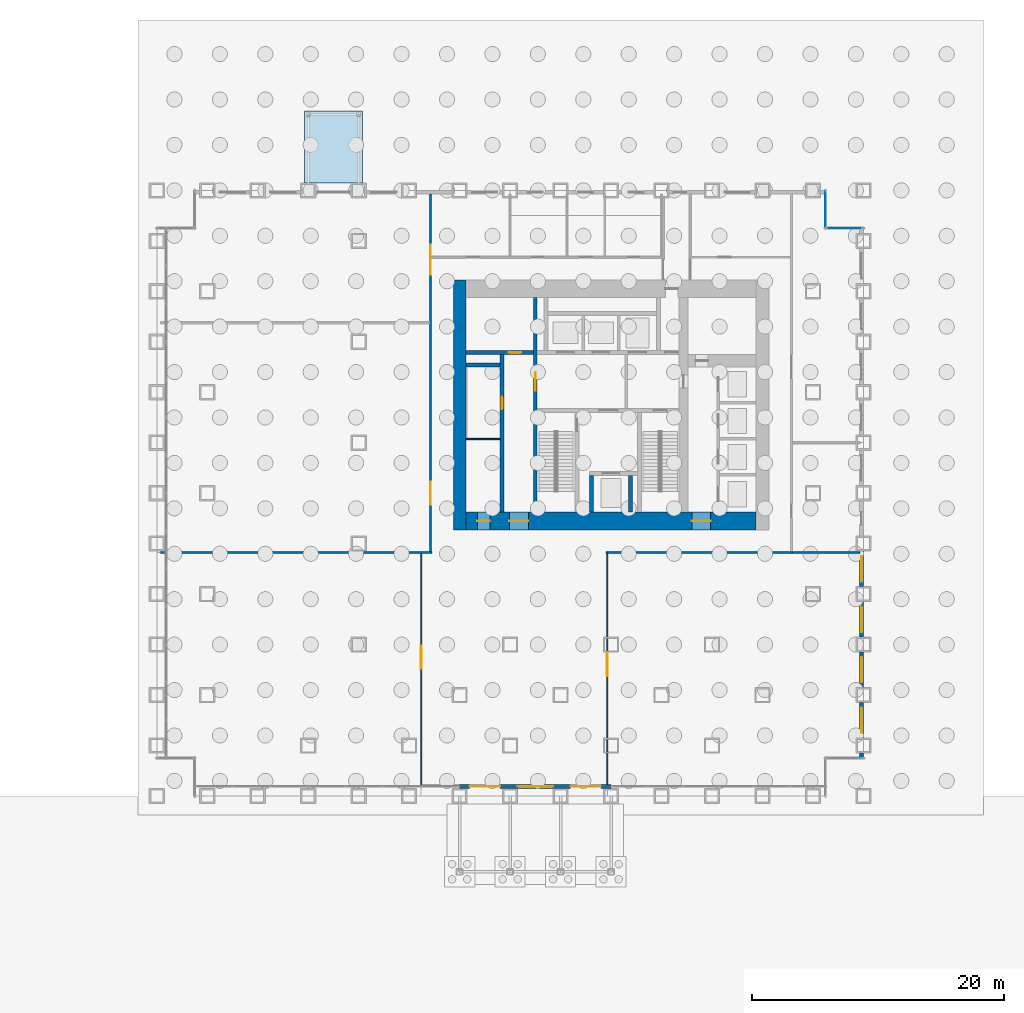
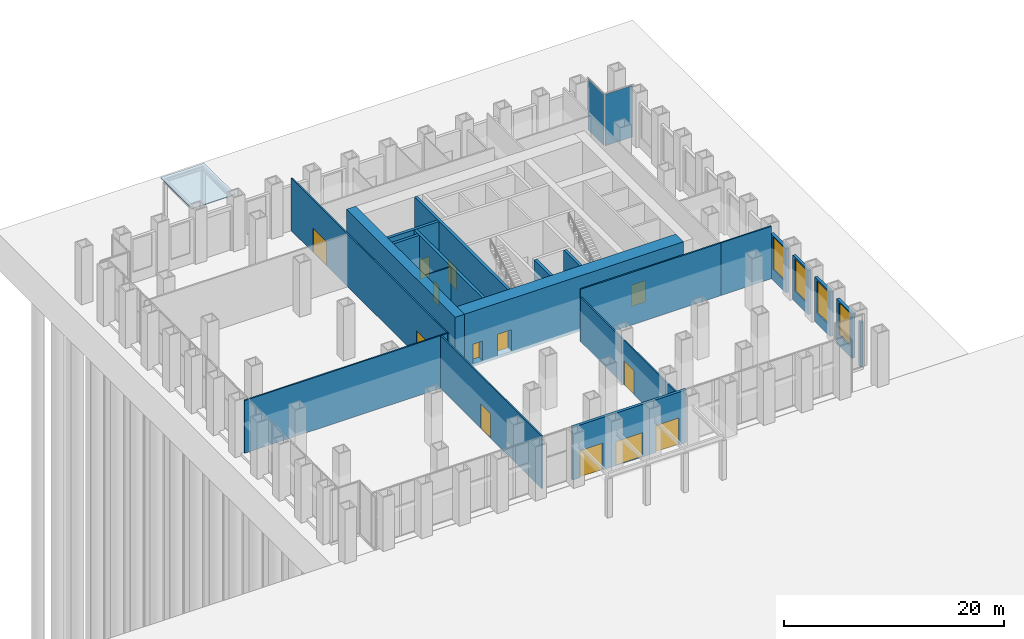
# One storey, part 12 of 17: 21 walls, 13 doors, 4 windows, 2 plates, 1 slab, 17 openings, 2 elements without a shape of their own.
"""IFC4 building model written with IfcOpenShell, lengths in metres."""

import ifcopenshell
import ifcopenshell.guid

model = None  # the IFC model being written
_history = None  # IfcOwnerHistory: only IFC2X3 demands one
_inside = {}  # id of a spatial element -> (the spatial element, [elements in it])
_under = {}  # id of a project, library or spatial element -> (it, [spatial elements below it])
_declared = {}  # id of a project -> (the project, [libraries it declares])
_typed = {}  # id of a type object -> (the type object, [elements of that type])
_made_of = {}  # id of a material, layer set ... -> (it, [elements and type objects made of it])


def new_model(schema):
    """Start an empty IFC model of exactly this schema.

    Asked for "IFC4X3", IfcOpenShell would pick the latest addendum, in which some entities
    have other attributes; the version numbers below select the first issue.
    IFC2X3 requires an IfcOwnerHistory on every rooted entity: one is made here for all.
    """
    global model, _history
    if schema == "IFC4X3":
        model = ifcopenshell.file(schema_version=(4, 3, 0, 0))
    else:
        model = ifcopenshell.file(schema=schema)
    _inside.clear()
    _under.clear()
    _declared.clear()
    _typed.clear()
    _made_of.clear()
    _history = None
    if model.schema == "IFC2X3":
        org = make("IfcOrganization", Name="unknown")
        user = make(
            "IfcPersonAndOrganization",
            ThePerson=make("IfcPerson", FamilyName="unknown"),
            TheOrganization=org,
        )
        app = make(
            "IfcApplication",
            ApplicationDeveloper=org,
            Version="unknown",
            ApplicationFullName="unknown",
            ApplicationIdentifier="unknown",
        )
        _history = make(
            "IfcOwnerHistory",
            OwningUser=user,
            OwningApplication=app,
            ChangeAction="ADDED",
            CreationDate=0,
        )
    return model


def make(cls, **values):
    """One entity of the class cls with the attributes given. An attribute that is None is left unset."""
    return model.create_entity(
        cls, **{name: value for name, value in values.items() if value is not None}
    )


def rooted(cls, **values):
    """An entity with a GlobalId (a new one), such as an element, a storey or a relation."""
    return make(cls, GlobalId=ifcopenshell.guid.new(), OwnerHistory=_history, **values)


def si_unit(unit_type, name, prefix=None):
    """IfcSIUnit, for example si_unit("LENGTHUNIT", "METRE", prefix="MILLI")."""
    return make("IfcSIUnit", UnitType=unit_type, Prefix=prefix, Name=name)


def assignment(units):
    """IfcUnitAssignment: the units of a project."""
    return None if units is None else make("IfcUnitAssignment", Units=units)


def point(xyz):
    """IfcCartesianPoint."""
    return None if xyz is None else make("IfcCartesianPoint", Coordinates=xyz)


def direction(xyz):
    """IfcDirection."""
    return None if xyz is None else make("IfcDirection", DirectionRatios=xyz)


def frame(location, z_axis=None, x_axis=None):
    """IfcAxis2Placement3D, a coordinate frame: its origin and axes. An axis left out is left unset."""
    return make(
        "IfcAxis2Placement3D",
        Location=point(location),
        Axis=direction(z_axis),
        RefDirection=direction(x_axis),
    )


def frame_2d(location, x_axis=None):
    """IfcAxis2Placement2D, a coordinate frame in the plane: its origin and x axis."""
    return make(
        "IfcAxis2Placement2D", Location=point(location), RefDirection=direction(x_axis)
    )


def origin():
    """The frame at (0, 0, 0) with its axes left unset."""
    return frame((0.0, 0.0, 0.0))


def origin_2d():
    """The frame at (0, 0) in the plane with its x axis left unset."""
    return frame_2d((0.0, 0.0))


def place(relative_to, where):
    """IfcLocalPlacement: puts the frame where relative to a parent placement (None: the world)."""
    return make(
        "IfcLocalPlacement", PlacementRelTo=relative_to, RelativePlacement=where
    )


def context(
    kind, dimensions, precision=None, world=None, true_north=None, identifier=None
):
    """IfcGeometricRepresentationContext, for example the 3D "Model" context."""
    return make(
        "IfcGeometricRepresentationContext",
        ContextIdentifier=identifier,
        ContextType=kind,
        CoordinateSpaceDimension=dimensions,
        Precision=precision,
        WorldCoordinateSystem=world,
        TrueNorth=true_north,
    )


def subcontext(parent, identifier, kind, view, scale=None):
    """IfcGeometricRepresentationSubContext, for example "Body" below "Model"."""
    return make(
        "IfcGeometricRepresentationSubContext",
        ContextIdentifier=identifier,
        ContextType=kind,
        ParentContext=parent,
        TargetScale=scale,
        TargetView=view,
    )


def project(units=None, contexts=None):
    """IfcProject with its units and contexts."""
    return rooted(
        "IfcProject",
        Name="project",
        RepresentationContexts=contexts,
        UnitsInContext=assignment(units),
    )


def spatial(cls, under=None, at=None, **own):
    """A site, building, storey or space (cls), placed at a placement, below another one or the project."""
    s = rooted(cls, ObjectPlacement=at, **own)
    if under is not None:
        _under.setdefault(under.id(), (under, []))[1].append(s)
    return s


def polyline(points):
    """IfcPolyline through the points."""
    return make("IfcPolyline", Points=[point(p) for p in points])


def profile(cls, at=None, kind="AREA", **sizes):
    """A parametric profile (cls). Its sizes go by their IFC names, for example OverallWidth=200.0."""
    return make(cls, ProfileType=kind, Position=at, **sizes)


def rectangle(**sizes):
    """IfcRectangleProfileDef."""
    return profile("IfcRectangleProfileDef", **sizes)


def outline(outer, holes=None, kind="AREA"):
    """IfcArbitraryClosedProfileDef: a profile drawn as a closed curve; with holes, ...WithVoids."""
    if holes is None:
        return make("IfcArbitraryClosedProfileDef", ProfileType=kind, OuterCurve=outer)
    return make(
        "IfcArbitraryProfileDefWithVoids",
        ProfileType=kind,
        OuterCurve=outer,
        InnerCurves=holes,
    )


def extrude(swept, where, along, depth):
    """IfcExtrudedAreaSolid: the profile swept, set in the frame where, extruded along a direction by depth."""
    return make(
        "IfcExtrudedAreaSolid",
        SweptArea=swept,
        Position=where,
        ExtrudedDirection=direction(along),
        Depth=depth,
    )


def shape(context_of_items, identifier, shape_type, items):
    """IfcShapeRepresentation: the items that make up one representation, for example the "Body"."""
    return make(
        "IfcShapeRepresentation",
        ContextOfItems=context_of_items,
        RepresentationIdentifier=identifier,
        RepresentationType=shape_type,
        Items=items,
    )


def material(Name=None, Category=None):
    """IfcMaterial."""
    return make("IfcMaterial", Name=Name, Category=Category)


def layer(
    of_material, thickness, ventilated=None, Name=None, Category=None, Priority=None
):
    """IfcMaterialLayer: one layer of a wall or slab, of a material (None: an air gap)."""
    return make(
        "IfcMaterialLayer",
        Material=of_material,
        LayerThickness=thickness,
        IsVentilated=ventilated,
        Name=Name,
        Category=Category,
        Priority=Priority,
    )


def layer_set(layers, Name=None):
    """IfcMaterialLayerSet."""
    return make("IfcMaterialLayerSet", MaterialLayers=layers, LayerSetName=Name)


def made_of(thing, what):
    """Note that an element or type object is made of a material, layer set ...; save() writes the relation."""
    if what is not None:
        _made_of.setdefault(what.id(), (what, []))[1].append(thing)
    return thing


def type_object(cls, material=None, **own):
    """A type object (cls), such as IfcWallType, which elements share."""
    return made_of(rooted(cls, **own), material)


def element(
    cls,
    number,
    at=None,
    inside=None,
    cuts=None,
    type_object=None,
    material=None,
    context=None,
    identifier="Body",
    shape_type=None,
    held_by="IfcProductDefinitionShape",
    body=None,
    shapes=None,
    **own,
):
    """One element of the class cls, such as IfcWall. Its Tag is "e" and its number.

    at: its placement. inside: the storey or other place that contains it. cuts: it is an
    opening in that element (IfcRelVoidsElement). A single representation is given by context,
    identifier, shape_type and body (its items); several are given by shapes. held_by: the class
    of the entity that holds the representations. save() writes the other relations.
    """
    e = rooted(cls, Tag="e%d" % number, ObjectPlacement=at, **own)
    if body is not None:
        shapes = [shape(context, identifier, shape_type, body)]
    if shapes is not None:
        e.Representation = make(held_by, Representations=shapes)
    if inside is not None:
        _inside.setdefault(inside.id(), (inside, []))[1].append(e)
    if cuts is not None:
        rooted(
            "IfcRelVoidsElement", RelatingBuildingElement=cuts, RelatedOpeningElement=e
        )
    if type_object is not None:
        _typed.setdefault(type_object.id(), (type_object, []))[1].append(e)
    return made_of(e, material)


def fill(opening, filler):
    """IfcRelFillsElement: the door or window that sits in an opening."""
    return rooted(
        "IfcRelFillsElement",
        RelatingOpeningElement=opening,
        RelatedBuildingElement=filler,
    )


def aggregate(whole, parts):
    """IfcRelAggregates: a whole, such as a stair, and the parts it consists of."""
    return rooted("IfcRelAggregates", RelatingObject=whole, RelatedObjects=parts)


def save(model, path):
    """Write the relations noted so far, then the file.

    IfcRelAggregates (storeys below a building ...), IfcRelContainedInSpatialStructure (elements
    in a storey), IfcRelDefinesByType, IfcRelAssociatesMaterial and IfcRelDeclares: one each for
    every whole, place, type object, material and project.
    """
    for whole, parts in _under.values():
        aggregate(whole, parts)
    for where, things in _inside.values():
        rooted(
            "IfcRelContainedInSpatialStructure",
            RelatedElements=things,
            RelatingStructure=where,
        )
    for kind, things in _typed.values():
        rooted("IfcRelDefinesByType", RelatedObjects=things, RelatingType=kind)
    for what, things in _made_of.values():
        rooted("IfcRelAssociatesMaterial", RelatedObjects=things, RelatingMaterial=what)
    for by, libraries in _declared.values():
        rooted("IfcRelDeclares", RelatingContext=by, RelatedDefinitions=libraries)
    model.write(path)


model = new_model("IFC4")

# Units and contexts
model_context = context("Model", 3, precision=1e-05, world=origin(), true_north=direction((0.0, 1.0)))
body_context = subcontext(model_context, "Body", "Model", "MODEL_VIEW")
ifc_project = project(units=[si_unit("LENGTHUNIT", "METRE"), si_unit("AREAUNIT", "SQUARE_METRE"), si_unit("VOLUMEUNIT", "CUBIC_METRE"), si_unit("PLANEANGLEUNIT", "RADIAN"), si_unit("MASSUNIT", "GRAM", prefix="KILO")], contexts=[model_context])

# Site, building, storey
site_placement = place(None, origin())
site = spatial("IfcSite", under=ifc_project, at=site_placement, CompositionType="ELEMENT")
building_placement = place(site_placement, origin())
building = spatial("IfcBuilding", under=site, at=building_placement, Name="Rimbunsela Tower", CompositionType="ELEMENT")
storey_placement = place(building_placement, origin())
storey = spatial("IfcBuildingStorey", under=building, at=storey_placement, Name="L00", CompositionType="ELEMENT", Elevation=0.0)

# Curtain wall, plate
ifc_material_1 = material(Name="Aluminium curtain wall", Category="aluminium")
curtain_wall_type = type_object("IfcCurtainWallType", Name="Corner glazing", PredefinedType="USERDEFINED", material=ifc_material_1)
curtain_wall_1_placement = place(storey_placement, origin())
curtain_wall_1 = element("IfcCurtainWall", 1, at=curtain_wall_1_placement, inside=storey, type_object=curtain_wall_type, Name="Corner glazing L00", ObjectType="CORNER GLAZING", PredefinedType="USERDEFINED")
ifc_material_2 = material(Name="Clear double glazing", Category="glass")
ifc_layer_1 = layer(ifc_material_2, 0.028076171875)
ifc_layer_set_1 = layer_set([ifc_layer_1], Name="Glazed panel clear")
plate_type = type_object("IfcPlateType", Name="Glazed panel clear", PredefinedType="CURTAIN_PANEL", material=ifc_layer_set_1)
plate_1_placement = place(storey_placement, frame((48.5, 41.0, 0.06005859375), z_axis=(0.0, 0.0, 1.0), x_axis=(-1.0, 0.0, 0.0)))
plate_1 = element("IfcPlate", 2, at=plate_1_placement, type_object=plate_type, Name="CW5 panel 1.1", PredefinedType="CURTAIN_PANEL", context=body_context, shape_type="SweptSolid", body=[
    extrude(rectangle(XDim=2.8798828125, YDim=0.028076171875, at=origin_2d()), origin(), (0.0, 0.0, 1.0), 5.72998046875),
])
aggregate(curtain_wall_1, [plate_1])

curtain_wall_2_placement = place(storey_placement, origin())
curtain_wall_2 = element("IfcCurtainWall", 3, at=curtain_wall_2_placement, inside=storey, type_object=curtain_wall_type, Name="Corner glazing L00", ObjectType="CORNER GLAZING", PredefinedType="USERDEFINED")
plate_2_placement = place(storey_placement, frame((47.0, 42.5, 0.06005859375), z_axis=(0.0, 0.0, 1.0), x_axis=(0.0, 1.0, 0.0)))
plate_2 = element("IfcPlate", 4, at=plate_2_placement, type_object=plate_type, Name="CW5 panel 1.1", PredefinedType="CURTAIN_PANEL", context=body_context, shape_type="SweptSolid", body=[
    extrude(rectangle(XDim=2.8798828125, YDim=0.028076171875, at=origin_2d()), origin(), (0.0, 0.0, 1.0), 5.72998046875),
])
aggregate(curtain_wall_2, [plate_2])

# Slab
ifc_material_3 = material(Name="Concrete fc' 35 MPa", Category="concrete")
ifc_layer_2 = layer(ifc_material_3, 0.10009765625)
ifc_layer_set_2 = layer_set([ifc_layer_2], Name="Loading canopy slab 100")
slab_type = type_object("IfcSlabType", Name="Loading canopy slab 100", PredefinedType="ROOF", material=ifc_layer_set_2)
slab_placement = place(storey_placement, frame((0.0, 0.0, 5.300048828125)))
element("IfcSlab", 5, at=slab_placement, inside=storey, type_object=slab_type, Name="Loading bay canopy", PredefinedType="ROOF", context=body_context, shape_type="SweptSolid", body=[
    extrude(outline(polyline([(5.699951171875, 44.60009765625), (10.300048828125, 44.60009765625), (10.300048828125, 50.300048828125), (5.699951171875, 50.300048828125), (5.699951171875, 44.60009765625)])), origin(), (0.0, 0.0, 1.0), 0.099853515625),
])

# Wall, opening, door
ifc_material_4 = material(Name="Concrete fc' 80 MPa", Category="concrete")
ifc_layer_3 = layer(ifc_material_4, 0.300048828125)
ifc_layer_set_3 = layer_set([ifc_layer_3], Name="Core internal wall 300")
wall_type_1 = type_object("IfcWallType", Name="Core internal wall 300", PredefinedType="SHEAR", material=ifc_layer_set_3)
wall_1_placement = place(storey_placement, frame((24.0, 18.5, -0.300048828125), z_axis=(0.0, 0.0, 1.0), x_axis=(0.0, 1.0, 0.0)))
wall_1 = element("IfcWall", 6, at=wall_1_placement, inside=storey, type_object=wall_type_1, Name="Core wall at stair A", PredefinedType="SHEAR", context=body_context, shape_type="SweptSolid", body=[
    extrude(rectangle(XDim=17.0, YDim=0.300048828125, at=frame_2d((8.5, 0.0))), origin(), (0.0, 0.0, 1.0), 6.150146484375),
])
opening_1_placement = place(wall_1_placement, frame((9.60009765625, 0.0, 0.300048828125)))
opening_1 = element("IfcOpeningElement", 7, at=opening_1_placement, cuts=wall_1, Name="Opening D03", PredefinedType="OPENING", context=body_context, shape_type="SweptSolid", body=[
    extrude(rectangle(XDim=1.5, YDim=2.39990234375, at=frame_2d((0.75, 1.199951171875))), frame((0.0, 0.159912109375, 0.0), z_axis=(0.0, -1.0, 0.0), x_axis=(1.0, 0.0, 0.0)), (0.0, 0.0, 1.0), 0.320068359375),
])
ifc_material_5 = material(Name="Steel door, fire rated", Category="steel")
door_type_1 = type_object("IfcDoorType", Name="Core lobby door 1500", OperationType="DOUBLE_DOOR_DOUBLE_SWING", PredefinedType="DOOR", material=ifc_material_5)
door_1_placement = place(opening_1_placement, origin())
door_1 = element("IfcDoor", 8, at=door_1_placement, inside=storey, type_object=door_type_1, Name="West lobby door", OperationType="DOUBLE_DOOR_DOUBLE_SWING", OverallHeight=2.39990234375, OverallWidth=1.5, PredefinedType="DOOR", context=body_context, shape_type="SweptSolid", body=[
    extrude(rectangle(XDim=1.5, YDim=2.39990234375, at=frame_2d((0.75, 1.199951171875))), frame((0.0, 0.02490234375, 0.0), z_axis=(0.0, -1.0, 0.0), x_axis=(1.0, 0.0, 0.0)), (0.0, 0.0, 1.0), 0.050048828125),
])
fill(opening_1, door_1)

# Walls
for number, where, z_axis, x_axis, name in (
    (9, (28.449951171875, 18.5, -0.300048828125), (0.0, 0.0, 1.0), (0.0, 1.0, 0.0), "Firefighting lift shaft west"),
    (10, (31.550048828125, 18.5, -0.300048828125), (0.0, 0.0, 1.0), (0.0, 1.0, 0.0), "Firefighting lift shaft east"),
):
    element("IfcWall", number, at=place(storey_placement, frame(where, z_axis=z_axis, x_axis=x_axis)), inside=storey, type_object=wall_type_1, Name=name, PredefinedType="SHEAR", context=body_context, shape_type="SweptSolid", body=[
        extrude(rectangle(XDim=2.89990234375, YDim=0.300048828125, at=frame_2d((1.449951171875, 0.0))), origin(), (0.0, 0.0, 1.0), 6.150146484375),
    ])

# Wall, opening, door
wall_2_placement = place(storey_placement, frame((21.35009765625, 18.5, -0.300048828125), z_axis=(0.0, 0.0, 1.0), x_axis=(0.0, 1.0, 0.0)))
wall_2 = element("IfcWall", 11, at=wall_2_placement, inside=storey, type_object=wall_type_1, Name="Lift shaft front west", PredefinedType="SHEAR", context=body_context, shape_type="SweptSolid", body=[
    extrude(rectangle(XDim=12.5, YDim=0.300048828125, at=frame_2d((6.25, 0.0))), origin(), (0.0, 0.0, 1.0), 6.150146484375),
])
opening_2_placement = place(wall_2_placement, frame((8.14990234375, 0.0, 0.300048828125)))
opening_2 = element("IfcOpeningElement", 12, at=opening_2_placement, cuts=wall_2, Name="Opening D19", PredefinedType="OPENING", context=body_context, shape_type="SweptSolid", body=[
    extrude(rectangle(XDim=1.0, YDim=2.199951171875, at=frame_2d((0.5, 1.10009765625))), frame((0.0, 0.159912109375, 0.0), z_axis=(0.0, -1.0, 0.0), x_axis=(1.0, 0.0, 0.0)), (0.0, 0.0, 1.0), 0.320068359375),
])
ifc_material_6 = material(Name="Steel door, fire rated", Category="steel")
door_type_2 = type_object("IfcDoorType", Name="Service door 1000 fire rated", OperationType="SINGLE_SWING_LEFT", PredefinedType="DOOR", material=ifc_material_6)
door_2_placement = place(opening_2_placement, origin())
door_2 = element("IfcDoor", 13, at=door_2_placement, inside=storey, type_object=door_type_2, Name="IT room door", OperationType="SINGLE_SWING_LEFT", OverallHeight=2.199951171875, OverallWidth=1.0, PredefinedType="DOOR", context=body_context, shape_type="SweptSolid", body=[
    extrude(rectangle(XDim=1.0, YDim=2.199951171875, at=frame_2d((0.5, 1.10009765625))), frame((0.0, 0.02490234375, 0.0), z_axis=(0.0, -1.0, 0.0), x_axis=(1.0, 0.0, 0.0)), (0.0, 0.0, 1.0), 0.050048828125),
])
fill(opening_2, door_2)

wall_3_placement = place(storey_placement, frame((18.5, 31.14990234375, -0.300048828125), z_axis=(0.0, 0.0, 1.0), x_axis=(1.0, 0.0, 0.0)))
wall_3 = element("IfcWall", 14, at=wall_3_placement, inside=storey, type_object=wall_type_1, Name="Store wall", PredefinedType="SHEAR", context=body_context, shape_type="SweptSolid", body=[
    extrude(rectangle(XDim=5.35009765625, YDim=0.300048828125, at=frame_2d((2.675048828125, 0.0))), origin(), (0.0, 0.0, 1.0), 6.150146484375),
])
opening_3_placement = place(wall_3_placement, frame((3.39990234375, 0.0, 0.300048828125)))
opening_3 = element("IfcOpeningElement", 15, at=opening_3_placement, cuts=wall_3, Name="Opening D19", PredefinedType="OPENING", context=body_context, shape_type="SweptSolid", body=[
    extrude(rectangle(XDim=1.0, YDim=2.199951171875, at=frame_2d((0.5, 1.10009765625))), frame((0.0, 0.159912109375, 0.0), z_axis=(0.0, -1.0, 0.0), x_axis=(1.0, 0.0, 0.0)), (0.0, 0.0, 1.0), 0.320068359375),
])
door_3_placement = place(opening_3_placement, origin())
door_3 = element("IfcDoor", 16, at=door_3_placement, inside=storey, type_object=door_type_2, Name="Cleaners store door", OperationType="SINGLE_SWING_LEFT", OverallHeight=2.199951171875, OverallWidth=1.0, PredefinedType="DOOR", context=body_context, shape_type="SweptSolid", body=[
    extrude(rectangle(XDim=1.0, YDim=2.199951171875, at=frame_2d((0.5, 1.10009765625))), frame((0.0, 0.02490234375, 0.0), z_axis=(0.0, -1.0, 0.0), x_axis=(1.0, 0.0, 0.0)), (0.0, 0.0, 1.0), 0.050048828125),
])
fill(opening_3, door_3)

# Walls
wall_4_placement = place(storey_placement, frame((18.5, 30.14990234375, -0.300048828125), z_axis=(0.0, 0.0, 1.0), x_axis=(1.0, 0.0, 0.0)))
element("IfcWall", 17, at=wall_4_placement, inside=storey, type_object=wall_type_1, Name="Lift shaft rear west", PredefinedType="SHEAR", context=body_context, shape_type="SweptSolid", body=[
    extrude(rectangle(XDim=2.699951171875, YDim=0.300048828125, at=frame_2d((1.35009765625, 0.0))), origin(), (0.0, 0.0, 1.0), 6.150146484375),
])
ifc_material_7 = material(Name="Concrete blockwork", Category="masonry")
ifc_layer_4 = layer(ifc_material_7, 0.10009765625)
ifc_layer_set_4 = layer_set([ifc_layer_4], Name="Core room partition 100")
wall_type_2 = type_object("IfcWallType", Name="Core room partition 100", PredefinedType="PARTITIONING", material=ifc_layer_set_4)
wall_5_placement = place(storey_placement, frame((18.5, 24.300048828125, 0.0), z_axis=(0.0, 0.0, 1.0), x_axis=(1.0, 0.0, 0.0)))
element("IfcWall", 18, at=wall_5_placement, inside=storey, type_object=wall_type_2, Name="IT room wall", PredefinedType="PARTITIONING", context=body_context, shape_type="SweptSolid", body=[
    extrude(rectangle(XDim=2.699951171875, YDim=0.10009765625, at=frame_2d((1.35009765625, 0.0))), origin(), (0.0, 0.0, 1.0), 5.85009765625),
])
ifc_material_8 = material(Name="Concrete fc' 80 MPa", Category="concrete")
ifc_layer_5 = layer(ifc_material_8, 1.0)
ifc_layer_set_5 = layer_set([ifc_layer_5], Name="Core wall 1000")
wall_type_3 = type_object("IfcWallType", Name="Core wall 1000", PredefinedType="SHEAR", material=ifc_layer_set_5)
wall_6_placement = place(storey_placement, frame((18.0, 17.10009765625, -0.300048828125), z_axis=(0.0, 0.0, 1.0), x_axis=(0.0, 1.0, 0.0)))
element("IfcWall", 19, at=wall_6_placement, inside=storey, type_object=wall_type_3, Name="Core wall west", PredefinedType="SHEAR", context=body_context, shape_type="SweptSolid", body=[
    extrude(rectangle(XDim=19.7998046875, YDim=1.0, at=frame_2d((9.89990234375, 0.0))), origin(), (0.0, 0.0, 1.0), 6.150146484375),
])

# Wall, openings, doors
ifc_material_9 = material(Name="Concrete fc' 80 MPa", Category="concrete")
ifc_layer_6 = layer(ifc_material_9, 1.39990234375)
ifc_layer_set_6 = layer_set([ifc_layer_6], Name="Core wall 1400")
wall_type_4 = type_object("IfcWallType", Name="Core wall 1400", PredefinedType="SHEAR", material=ifc_layer_set_6)
wall_7_placement = place(storey_placement, frame((18.5, 17.800048828125, -0.300048828125), z_axis=(0.0, 0.0, 1.0), x_axis=(1.0, 0.0, 0.0)))
wall_7 = element("IfcWall", 20, at=wall_7_placement, inside=storey, type_object=wall_type_4, Name="Core wall south", PredefinedType="SHEAR", context=body_context, shape_type="SweptSolid", body=[
    extrude(rectangle(XDim=23.0, YDim=1.39990234375, at=frame_2d((11.5, 0.0))), origin(), (0.0, 0.0, 1.0), 6.150146484375),
])
opening_4_placement = place(wall_7_placement, frame((3.449951171875, 0.0, 0.300048828125)))
opening_4 = element("IfcOpeningElement", 21, at=opening_4_placement, cuts=wall_7, Name="Opening D03", PredefinedType="OPENING", context=body_context, shape_type="SweptSolid", body=[
    extrude(rectangle(XDim=1.5, YDim=2.39990234375, at=frame_2d((0.75, 1.199951171875))), frame((0.0, 0.7099609375, 0.0), z_axis=(0.0, -1.0, 0.0), x_axis=(1.0, 0.0, 0.0)), (0.0, 0.0, 1.0), 1.419921875),
])
opening_5_placement = place(wall_7_placement, frame((17.89990234375, 0.0, 0.300048828125)))
opening_5 = element("IfcOpeningElement", 22, at=opening_5_placement, cuts=wall_7, Name="Opening D03", PredefinedType="OPENING", context=body_context, shape_type="SweptSolid", body=[
    extrude(rectangle(XDim=1.5, YDim=2.39990234375, at=frame_2d((0.75, 1.199951171875))), frame((0.0, 0.7099609375, 0.0), z_axis=(0.0, -1.0, 0.0), x_axis=(1.0, 0.0, 0.0)), (0.0, 0.0, 1.0), 1.419921875),
])
opening_6_placement = place(wall_7_placement, frame((0.89990234375, 0.0, 0.300048828125)))
opening_6 = element("IfcOpeningElement", 23, at=opening_6_placement, cuts=wall_7, Name="Opening D19", PredefinedType="OPENING", context=body_context, shape_type="SweptSolid", body=[
    extrude(rectangle(XDim=1.0, YDim=2.199951171875, at=frame_2d((0.5, 1.10009765625))), frame((0.0, 0.7099609375, 0.0), z_axis=(0.0, -1.0, 0.0), x_axis=(1.0, 0.0, 0.0)), (0.0, 0.0, 1.0), 1.419921875),
])
door_4_placement = place(opening_4_placement, origin())
door_4 = element("IfcDoor", 24, at=door_4_placement, inside=storey, type_object=door_type_1, Name="Core door south", OperationType="DOUBLE_DOOR_DOUBLE_SWING", OverallHeight=2.39990234375, OverallWidth=1.5, PredefinedType="DOOR", context=body_context, shape_type="SweptSolid", body=[
    extrude(rectangle(XDim=1.5, YDim=2.39990234375, at=frame_2d((0.75, 1.199951171875))), frame((0.0, 0.02490234375, 0.0), z_axis=(0.0, -1.0, 0.0), x_axis=(1.0, 0.0, 0.0)), (0.0, 0.0, 1.0), 0.050048828125),
])
fill(opening_4, door_4)
door_5_placement = place(opening_5_placement, origin())
door_5 = element("IfcDoor", 25, at=door_5_placement, inside=storey, type_object=door_type_1, Name="Core door south-east", OperationType="DOUBLE_DOOR_DOUBLE_SWING", OverallHeight=2.39990234375, OverallWidth=1.5, PredefinedType="DOOR", context=body_context, shape_type="SweptSolid", body=[
    extrude(rectangle(XDim=1.5, YDim=2.39990234375, at=frame_2d((0.75, 1.199951171875))), frame((0.0, 0.02490234375, 0.0), z_axis=(0.0, -1.0, 0.0), x_axis=(1.0, 0.0, 0.0)), (0.0, 0.0, 1.0), 0.050048828125),
])
fill(opening_5, door_5)
door_6_placement = place(opening_6_placement, origin())
door_6 = element("IfcDoor", 26, at=door_6_placement, inside=storey, type_object=door_type_2, Name="Electrical room door", OperationType="SINGLE_SWING_LEFT", OverallHeight=2.199951171875, OverallWidth=1.0, PredefinedType="DOOR", context=body_context, shape_type="SweptSolid", body=[
    extrude(rectangle(XDim=1.0, YDim=2.199951171875, at=frame_2d((0.5, 1.10009765625))), frame((0.0, 0.02490234375, 0.0), z_axis=(0.0, -1.0, 0.0), x_axis=(1.0, 0.0, 0.0)), (0.0, 0.0, 1.0), 0.050048828125),
])
fill(opening_6, door_6)

ifc_material_10 = material(Name="Gypsum board on steel studs", Category="steel")
ifc_layer_7 = layer(ifc_material_10, 0.14990234375)
ifc_layer_set_7 = layer_set([ifc_layer_7], Name="Corridor partition 150")
wall_type_5 = type_object("IfcWallType", Name="Corridor partition 150", PredefinedType="PARTITIONING", material=ifc_layer_set_7)
wall_8_placement = place(storey_placement, frame((15.699951171875, 15.22509765625, 0.0), z_axis=(0.0, 0.0, 1.0), x_axis=(0.0, 1.0, 0.0)))
wall_8 = element("IfcWall", 27, at=wall_8_placement, inside=storey, type_object=wall_type_5, Name="Retail wall east", PredefinedType="PARTITIONING", context=body_context, shape_type="SweptSolid", body=[
    extrude(rectangle(XDim=28.474853515625, YDim=0.14990234375, at=frame_2d((14.2373046875, 0.0))), origin(), (0.0, 0.0, 1.0), 5.85009765625),
])
opening_7_placement = place(wall_8_placement, frame((3.875, 0.0, 0.0)))
opening_7 = element("IfcOpeningElement", 28, at=opening_7_placement, cuts=wall_8, Name="Opening D14", PredefinedType="OPENING", context=body_context, shape_type="SweptSolid", body=[
    extrude(rectangle(XDim=1.800048828125, YDim=2.699951171875, at=frame_2d((0.89990234375, 1.35009765625))), frame((0.0, 0.0849609375, 0.0), z_axis=(0.0, -1.0, 0.0), x_axis=(1.0, 0.0, 0.0)), (0.0, 0.0, 1.0), 0.169921875),
])
opening_8_placement = place(wall_8_placement, frame((22.074951171875, 0.0, 0.0)))
opening_8 = element("IfcOpeningElement", 29, at=opening_8_placement, cuts=wall_8, Name="Opening D15", PredefinedType="OPENING", context=body_context, shape_type="SweptSolid", body=[
    extrude(rectangle(XDim=2.39990234375, YDim=2.699951171875, at=frame_2d((1.199951171875, 1.35009765625))), frame((0.0, 0.0849609375, 0.0), z_axis=(0.0, -1.0, 0.0), x_axis=(1.0, 0.0, 0.0)), (0.0, 0.0, 1.0), 0.169921875),
])
ifc_material_11 = material(Name="Steel door, fire rated", Category="steel")
door_type_3 = type_object("IfcDoorType", Name="Goods door 2400", OperationType="DOUBLE_DOOR_DOUBLE_SWING", PredefinedType="DOOR", material=ifc_material_11)
door_7_placement = place(opening_8_placement, origin())
door_7 = element("IfcDoor", 30, at=door_7_placement, inside=storey, type_object=door_type_3, Name="Loading bay door", OperationType="DOUBLE_DOOR_DOUBLE_SWING", OverallHeight=2.699951171875, OverallWidth=2.39990234375, PredefinedType="DOOR", context=body_context, shape_type="SweptSolid", body=[
    extrude(rectangle(XDim=2.39990234375, YDim=2.699951171875, at=frame_2d((1.199951171875, 1.35009765625))), frame((0.0, 0.02490234375, 0.0), z_axis=(0.0, -1.0, 0.0), x_axis=(1.0, 0.0, 0.0)), (0.0, 0.0, 1.0), 0.050048828125),
])
fill(opening_8, door_7)
ifc_material_12 = material(Name="Glazed aluminium door, fire rated", Category="aluminium")
door_type_4 = type_object("IfcDoorType", Name="Retail door 1800 glazed", OperationType="DOUBLE_DOOR_DOUBLE_SWING", PredefinedType="DOOR", material=ifc_material_12)
door_8_placement = place(opening_7_placement, origin())
door_8 = element("IfcDoor", 31, at=door_8_placement, inside=storey, type_object=door_type_4, Name="Retail door", OperationType="DOUBLE_DOOR_DOUBLE_SWING", OverallHeight=2.699951171875, OverallWidth=1.800048828125, PredefinedType="DOOR", context=body_context, shape_type="SweptSolid", body=[
    extrude(rectangle(XDim=1.800048828125, YDim=2.699951171875, at=frame_2d((0.89990234375, 1.35009765625))), frame((0.0, 0.02490234375, 0.0), z_axis=(0.0, -1.0, 0.0), x_axis=(1.0, 0.0, 0.0)), (0.0, 0.0, 1.0), 0.050048828125),
])
fill(opening_7, door_8)

# Wall
wall_9_placement = place(storey_placement, frame((-5.699951171875, 15.300048828125, 0.0), z_axis=(0.0, 0.0, 1.0), x_axis=(1.0, 0.0, 0.0)))
element("IfcWall", 32, at=wall_9_placement, inside=storey, type_object=wall_type_5, Name="Retail wall south", PredefinedType="PARTITIONING", context=body_context, shape_type="SweptSolid", body=[
    extrude(rectangle(XDim=21.474853515625, YDim=0.14990234375, at=frame_2d((10.7373046875, 0.0))), origin(), (0.0, 0.0, 1.0), 5.85009765625),
])

# Wall, opening, door
wall_10_placement = place(storey_placement, frame((14.95703125, -3.169921875, 0.0), z_axis=(0.0, 0.0, 1.0), x_axis=(0.0, 1.0, 0.0)))
wall_10 = element("IfcWall", 33, at=wall_10_placement, inside=storey, type_object=wall_type_5, Name="Bank branch wall", PredefinedType="PARTITIONING", context=body_context, shape_type="SweptSolid", body=[
    extrude(rectangle(XDim=18.39501953125, YDim=0.14990234375, at=frame_2d((9.197509765625, 0.0))), origin(), (0.0, 0.0, 1.0), 5.85009765625),
])
opening_9_placement = place(wall_10_placement, frame((9.27001953125, 0.0, 0.0)))
opening_9 = element("IfcOpeningElement", 34, at=opening_9_placement, cuts=wall_10, Name="Opening D14", PredefinedType="OPENING", context=body_context, shape_type="SweptSolid", body=[
    extrude(rectangle(XDim=1.800048828125, YDim=2.699951171875, at=frame_2d((0.89990234375, 1.35009765625))), frame((0.0, 0.0849609375, 0.0), z_axis=(0.0, -1.0, 0.0), x_axis=(1.0, 0.0, 0.0)), (0.0, 0.0, 1.0), 0.169921875),
])
door_9_placement = place(opening_9_placement, origin())
door_9 = element("IfcDoor", 35, at=door_9_placement, inside=storey, type_object=door_type_4, Name="Bank branch door", OperationType="DOUBLE_DOOR_DOUBLE_SWING", OverallHeight=2.699951171875, OverallWidth=1.800048828125, PredefinedType="DOOR", context=body_context, shape_type="SweptSolid", body=[
    extrude(rectangle(XDim=1.800048828125, YDim=2.699951171875, at=frame_2d((0.89990234375, 1.35009765625))), frame((0.0, 0.02490234375, 0.0), z_axis=(0.0, -1.0, 0.0), x_axis=(1.0, 0.0, 0.0)), (0.0, 0.0, 1.0), 0.050048828125),
])
fill(opening_9, door_9)

wall_11_placement = place(storey_placement, frame((29.699951171875, -3.10009765625, 0.0), z_axis=(0.0, 0.0, 1.0), x_axis=(0.0, 1.0, 0.0)))
wall_11 = element("IfcWall", 36, at=wall_11_placement, inside=storey, type_object=wall_type_5, Name="Management office wall west", PredefinedType="PARTITIONING", context=body_context, shape_type="SweptSolid", body=[
    extrude(rectangle(XDim=18.3251953125, YDim=0.14990234375, at=frame_2d((9.16259765625, 0.0))), origin(), (0.0, 0.0, 1.0), 4.949951171875),
])
opening_10_placement = place(wall_11_placement, frame((8.60009765625, 0.0, 0.0)))
opening_10 = element("IfcOpeningElement", 37, at=opening_10_placement, cuts=wall_11, Name="Opening D14", PredefinedType="OPENING", context=body_context, shape_type="SweptSolid", body=[
    extrude(rectangle(XDim=1.800048828125, YDim=2.699951171875, at=frame_2d((0.89990234375, 1.35009765625))), frame((0.0, 0.0849609375, 0.0), z_axis=(0.0, -1.0, 0.0), x_axis=(1.0, 0.0, 0.0)), (0.0, 0.0, 1.0), 0.169921875),
])
door_10_placement = place(opening_10_placement, origin())
door_10 = element("IfcDoor", 38, at=door_10_placement, inside=storey, type_object=door_type_4, Name="Management office door", OperationType="DOUBLE_DOOR_DOUBLE_SWING", OverallHeight=2.699951171875, OverallWidth=1.800048828125, PredefinedType="DOOR", context=body_context, shape_type="SweptSolid", body=[
    extrude(rectangle(XDim=1.800048828125, YDim=2.699951171875, at=frame_2d((0.89990234375, 1.35009765625))), frame((0.0, 0.02490234375, 0.0), z_axis=(0.0, -1.0, 0.0), x_axis=(1.0, 0.0, 0.0)), (0.0, 0.0, 1.0), 0.050048828125),
])
fill(opening_10, door_10)

# Walls
wall_12_placement = place(storey_placement, frame((29.625, 15.300048828125, 0.0), z_axis=(0.0, 0.0, 1.0), x_axis=(1.0, 0.0, 0.0)))
element("IfcWall", 39, at=wall_12_placement, inside=storey, type_object=wall_type_5, Name="Management office wall north", PredefinedType="PARTITIONING", context=body_context, shape_type="SweptSolid", body=[
    extrude(rectangle(XDim=14.75, YDim=0.14990234375, at=frame_2d((7.375, 0.0))), origin(), (0.0, 0.0, 1.0), 5.85009765625),
])
wall_13_placement = place(storey_placement, frame((44.375, 15.300048828125, 0.0), z_axis=(0.0, 0.0, 1.0), x_axis=(1.0, 0.0, 0.0)))
element("IfcWall", 40, at=wall_13_placement, inside=storey, type_object=wall_type_5, Name="Fire command centre wall south", PredefinedType="PARTITIONING", context=body_context, shape_type="SweptSolid", body=[
    extrude(rectangle(XDim=5.324951171875, YDim=0.14990234375, at=frame_2d((2.66259765625, 0.0))), origin(), (0.0, 0.0, 1.0), 5.85009765625),
])
ifc_material_13 = material(Name="Precast concrete fc' 35 MPa", Category="concrete")
ifc_layer_8 = layer(ifc_material_13, 0.300048828125)
ifc_layer_set_8 = layer_set([ifc_layer_8], Name="Precast concrete fc' 35 MPa")
wall_type_6 = type_object("IfcWallType", Name="Precast facade panel 300", PredefinedType="ELEMENTEDWALL", material=ifc_layer_set_8)
wall_14_placement = place(storey_placement, frame((49.85009765625, -0.969970703125, 0.0), z_axis=(0.0, 0.0, 1.0), x_axis=(0.0, 1.0, 0.0)))
element("IfcWall", 41, at=wall_14_placement, inside=storey, type_object=wall_type_6, Name="Facade panel E L00", PredefinedType="ELEMENTEDWALL", context=body_context, shape_type="SweptSolid", body=[
    extrude(rectangle(XDim=0.369873046875, YDim=0.300048828125, at=frame_2d((0.18505859375, 0.0))), origin(), (0.0, 0.0, 1.0), 4.949951171875),
])

# Wall, opening, window
wall_15_placement = place(storey_placement, frame((49.85009765625, 0.60009765625, 0.0), z_axis=(0.0, 0.0, 1.0), x_axis=(0.0, 1.0, 0.0)))
wall_15 = element("IfcWall", 42, at=wall_15_placement, inside=storey, type_object=wall_type_6, Name="Facade panel E L00", PredefinedType="ELEMENTEDWALL", context=body_context, shape_type="SweptSolid", body=[
    extrude(rectangle(XDim=2.7998046875, YDim=0.300048828125, at=frame_2d((1.39990234375, 0.0))), origin(), (0.0, 0.0, 1.0), 4.949951171875),
])
opening_11_placement = place(wall_15_placement, frame((0.39990234375, 0.0, 1.199951171875)))
opening_11 = element("IfcOpeningElement", 43, at=opening_11_placement, cuts=wall_15, Name="Opening W2", PredefinedType="OPENING", context=body_context, shape_type="SweptSolid", body=[
    extrude(rectangle(XDim=2.0, YDim=3.60009765625, at=frame_2d((1.0, 1.800048828125))), frame((0.0, 0.159912109375, 0.0), z_axis=(0.0, -1.0, 0.0), x_axis=(1.0, 0.0, 0.0)), (0.0, 0.0, 1.0), 0.320068359375),
])
ifc_material_14 = material(Name="Clear glass in aluminium frame", Category="aluminium")
window_type = type_object("IfcWindowType", Name="Window W2 2000x3600", PartitioningType="SINGLE_PANEL", PredefinedType="WINDOW", material=ifc_material_14)
window_1_placement = place(opening_11_placement, origin())
window_1 = element("IfcWindow", 44, at=window_1_placement, inside=storey, type_object=window_type, Name="Window L00", OverallHeight=3.60009765625, OverallWidth=2.0, PartitioningType="SINGLE_PANEL", PredefinedType="WINDOW", context=body_context, shape_type="SweptSolid", body=[
    extrude(rectangle(XDim=2.0, YDim=3.60009765625, at=frame_2d((1.0, 1.800048828125))), frame((0.0, 0.030029296875, 0.0), z_axis=(0.0, -1.0, 0.0), x_axis=(1.0, 0.0, 0.0)), (0.0, 0.0, 1.0), 0.06005859375),
])
fill(opening_11, window_1)

wall_16_placement = place(storey_placement, frame((49.85009765625, 4.60009765625, 0.0), z_axis=(0.0, 0.0, 1.0), x_axis=(0.0, 1.0, 0.0)))
wall_16 = element("IfcWall", 45, at=wall_16_placement, inside=storey, type_object=wall_type_6, Name="Facade panel E L00", PredefinedType="ELEMENTEDWALL", context=body_context, shape_type="SweptSolid", body=[
    extrude(rectangle(XDim=2.7998046875, YDim=0.300048828125, at=frame_2d((1.39990234375, 0.0))), origin(), (0.0, 0.0, 1.0), 4.949951171875),
])
opening_12_placement = place(wall_16_placement, frame((0.39990234375, 0.0, 1.199951171875)))
opening_12 = element("IfcOpeningElement", 46, at=opening_12_placement, cuts=wall_16, Name="Opening W2", PredefinedType="OPENING", context=body_context, shape_type="SweptSolid", body=[
    extrude(rectangle(XDim=2.0, YDim=3.60009765625, at=frame_2d((1.0, 1.800048828125))), frame((0.0, 0.159912109375, 0.0), z_axis=(0.0, -1.0, 0.0), x_axis=(1.0, 0.0, 0.0)), (0.0, 0.0, 1.0), 0.320068359375),
])
window_2_placement = place(opening_12_placement, origin())
window_2 = element("IfcWindow", 47, at=window_2_placement, inside=storey, type_object=window_type, Name="Window L00", OverallHeight=3.60009765625, OverallWidth=2.0, PartitioningType="SINGLE_PANEL", PredefinedType="WINDOW", context=body_context, shape_type="SweptSolid", body=[
    extrude(rectangle(XDim=2.0, YDim=3.60009765625, at=frame_2d((1.0, 1.800048828125))), frame((0.0, 0.030029296875, 0.0), z_axis=(0.0, -1.0, 0.0), x_axis=(1.0, 0.0, 0.0)), (0.0, 0.0, 1.0), 0.06005859375),
])
fill(opening_12, window_2)

wall_17_placement = place(storey_placement, frame((49.85009765625, 8.60009765625, 0.0), z_axis=(0.0, 0.0, 1.0), x_axis=(0.0, 1.0, 0.0)))
wall_17 = element("IfcWall", 48, at=wall_17_placement, inside=storey, type_object=wall_type_6, Name="Facade panel E L00", PredefinedType="ELEMENTEDWALL", context=body_context, shape_type="SweptSolid", body=[
    extrude(rectangle(XDim=2.7998046875, YDim=0.300048828125, at=frame_2d((1.39990234375, 0.0))), origin(), (0.0, 0.0, 1.0), 4.949951171875),
])
opening_13_placement = place(wall_17_placement, frame((0.39990234375, 0.0, 1.199951171875)))
opening_13 = element("IfcOpeningElement", 49, at=opening_13_placement, cuts=wall_17, Name="Opening W2", PredefinedType="OPENING", context=body_context, shape_type="SweptSolid", body=[
    extrude(rectangle(XDim=2.0, YDim=3.60009765625, at=frame_2d((1.0, 1.800048828125))), frame((0.0, 0.159912109375, 0.0), z_axis=(0.0, -1.0, 0.0), x_axis=(1.0, 0.0, 0.0)), (0.0, 0.0, 1.0), 0.320068359375),
])
window_3_placement = place(opening_13_placement, origin())
window_3 = element("IfcWindow", 50, at=window_3_placement, inside=storey, type_object=window_type, Name="Window L00", OverallHeight=3.60009765625, OverallWidth=2.0, PartitioningType="SINGLE_PANEL", PredefinedType="WINDOW", context=body_context, shape_type="SweptSolid", body=[
    extrude(rectangle(XDim=2.0, YDim=3.60009765625, at=frame_2d((1.0, 1.800048828125))), frame((0.0, 0.030029296875, 0.0), z_axis=(0.0, -1.0, 0.0), x_axis=(1.0, 0.0, 0.0)), (0.0, 0.0, 1.0), 0.06005859375),
])
fill(opening_13, window_3)

wall_18_placement = place(storey_placement, frame((49.85009765625, 12.60009765625, 0.0), z_axis=(0.0, 0.0, 1.0), x_axis=(0.0, 1.0, 0.0)))
wall_18 = element("IfcWall", 51, at=wall_18_placement, inside=storey, type_object=wall_type_6, Name="Facade panel E L00", PredefinedType="ELEMENTEDWALL", context=body_context, shape_type="SweptSolid", body=[
    extrude(rectangle(XDim=2.7998046875, YDim=0.300048828125, at=frame_2d((1.39990234375, 0.0))), origin(), (0.0, 0.0, 1.0), 4.949951171875),
])
opening_14_placement = place(wall_18_placement, frame((0.39990234375, 0.0, 1.199951171875)))
opening_14 = element("IfcOpeningElement", 52, at=opening_14_placement, cuts=wall_18, Name="Opening W2", PredefinedType="OPENING", context=body_context, shape_type="SweptSolid", body=[
    extrude(rectangle(XDim=2.0, YDim=3.60009765625, at=frame_2d((1.0, 1.800048828125))), frame((0.0, 0.159912109375, 0.0), z_axis=(0.0, -1.0, 0.0), x_axis=(1.0, 0.0, 0.0)), (0.0, 0.0, 1.0), 0.320068359375),
])
window_4_placement = place(opening_14_placement, origin())
window_4 = element("IfcWindow", 53, at=window_4_placement, inside=storey, type_object=window_type, Name="Window L00", OverallHeight=3.60009765625, OverallWidth=2.0, PartitioningType="SINGLE_PANEL", PredefinedType="WINDOW", context=body_context, shape_type="SweptSolid", body=[
    extrude(rectangle(XDim=2.0, YDim=3.60009765625, at=frame_2d((1.0, 1.800048828125))), frame((0.0, 0.030029296875, 0.0), z_axis=(0.0, -1.0, 0.0), x_axis=(1.0, 0.0, 0.0)), (0.0, 0.0, 1.0), 0.06005859375),
])
fill(opening_14, window_4)

# Wall, openings, doors
ifc_material_15 = material(Name="Precast concrete fc' 35 MPa", Category="concrete")
ifc_layer_9 = layer(ifc_material_15, 0.300048828125)
ifc_layer_set_9 = layer_set([ifc_layer_9], Name="Terrace wall 300")
wall_type_7 = type_object("IfcWallType", Name="Terrace wall 300", PredefinedType="ELEMENTEDWALL", material=ifc_layer_set_9)
wall_19_placement = place(storey_placement, frame((18.0, -3.25, 0.0), z_axis=(0.0, 0.0, 1.0), x_axis=(1.0, 0.0, 0.0)))
wall_19 = element("IfcWall", 54, at=wall_19_placement, inside=storey, type_object=wall_type_7, Name="Entrance wall", PredefinedType="ELEMENTEDWALL", context=body_context, shape_type="SweptSolid", body=[
    extrude(rectangle(XDim=12.0, YDim=0.300048828125, at=frame_2d((6.0, 0.0))), origin(), (0.0, 0.0, 1.0), 5.85009765625),
])
opening_15_placement = place(wall_19_placement, frame((0.800048828125, 0.0, 0.0)))
opening_15 = element("IfcOpeningElement", 55, at=opening_15_placement, cuts=wall_19, Name="Opening ED1", PredefinedType="OPENING", context=body_context, shape_type="SweptSolid", body=[
    extrude(rectangle(XDim=2.39990234375, YDim=3.0, at=frame_2d((1.199951171875, 1.5))), frame((0.0, 0.159912109375, 0.0), z_axis=(0.0, -1.0, 0.0), x_axis=(1.0, 0.0, 0.0)), (0.0, 0.0, 1.0), 0.320068359375),
])
opening_16_placement = place(wall_19_placement, frame((4.60009765625, 0.0, 0.0)))
opening_16 = element("IfcOpeningElement", 56, at=opening_16_placement, cuts=wall_19, Name="Opening ED2", PredefinedType="OPENING", context=body_context, shape_type="SweptSolid", body=[
    extrude(rectangle(XDim=2.800048828125, YDim=2.699951171875, at=frame_2d((1.39990234375, 1.35009765625))), frame((0.0, 0.159912109375, 0.0), z_axis=(0.0, -1.0, 0.0), x_axis=(1.0, 0.0, 0.0)), (0.0, 0.0, 1.0), 0.320068359375),
])
opening_17_placement = place(wall_19_placement, frame((8.800048828125, 0.0, 0.0)))
opening_17 = element("IfcOpeningElement", 57, at=opening_17_placement, cuts=wall_19, Name="Opening ED1", PredefinedType="OPENING", context=body_context, shape_type="SweptSolid", body=[
    extrude(rectangle(XDim=2.39990234375, YDim=3.0, at=frame_2d((1.199951171875, 1.5))), frame((0.0, 0.159912109375, 0.0), z_axis=(0.0, -1.0, 0.0), x_axis=(1.0, 0.0, 0.0)), (0.0, 0.0, 1.0), 0.320068359375),
])
ifc_material_16 = material(Name="Glazed aluminium door", Category="aluminium")
door_type_5 = type_object("IfcDoorType", Name="Entrance door 2400", OperationType="DOUBLE_DOOR_DOUBLE_SWING", PredefinedType="DOOR", material=ifc_material_16)
door_11_placement = place(opening_15_placement, origin())
door_11 = element("IfcDoor", 58, at=door_11_placement, inside=storey, type_object=door_type_5, Name="Main entrance door", OperationType="DOUBLE_DOOR_DOUBLE_SWING", OverallHeight=3.0, OverallWidth=2.39990234375, PredefinedType="DOOR", context=body_context, shape_type="SweptSolid", body=[
    extrude(rectangle(XDim=2.39990234375, YDim=3.0, at=frame_2d((1.199951171875, 1.5))), frame((0.0, 0.02490234375, 0.0), z_axis=(0.0, -1.0, 0.0), x_axis=(1.0, 0.0, 0.0)), (0.0, 0.0, 1.0), 0.050048828125),
])
fill(opening_15, door_11)
door_12_placement = place(opening_17_placement, origin())
door_12 = element("IfcDoor", 59, at=door_12_placement, inside=storey, type_object=door_type_5, Name="Main entrance door", OperationType="DOUBLE_DOOR_DOUBLE_SWING", OverallHeight=3.0, OverallWidth=2.39990234375, PredefinedType="DOOR", context=body_context, shape_type="SweptSolid", body=[
    extrude(rectangle(XDim=2.39990234375, YDim=3.0, at=frame_2d((1.199951171875, 1.5))), frame((0.0, 0.02490234375, 0.0), z_axis=(0.0, -1.0, 0.0), x_axis=(1.0, 0.0, 0.0)), (0.0, 0.0, 1.0), 0.050048828125),
])
fill(opening_17, door_12)
ifc_material_17 = material(Name="Glazed aluminium door", Category="aluminium")
door_type_6 = type_object("IfcDoorType", Name="Revolving door 2800", OperationType="REVOLVING", PredefinedType="DOOR", material=ifc_material_17)
door_13_placement = place(opening_16_placement, origin())
door_13 = element("IfcDoor", 60, at=door_13_placement, inside=storey, type_object=door_type_6, Name="Main entrance revolving door", OperationType="REVOLVING", OverallHeight=2.699951171875, OverallWidth=2.800048828125, PredefinedType="DOOR", context=body_context, shape_type="SweptSolid", body=[
    extrude(rectangle(XDim=2.800048828125, YDim=2.699951171875, at=frame_2d((1.39990234375, 1.35009765625))), frame((0.0, 0.02490234375, 0.0), z_axis=(0.0, -1.0, 0.0), x_axis=(1.0, 0.0, 0.0)), (0.0, 0.0, 1.0), 0.050048828125),
])
fill(opening_16, door_13)

save(model, "model.ifc")
